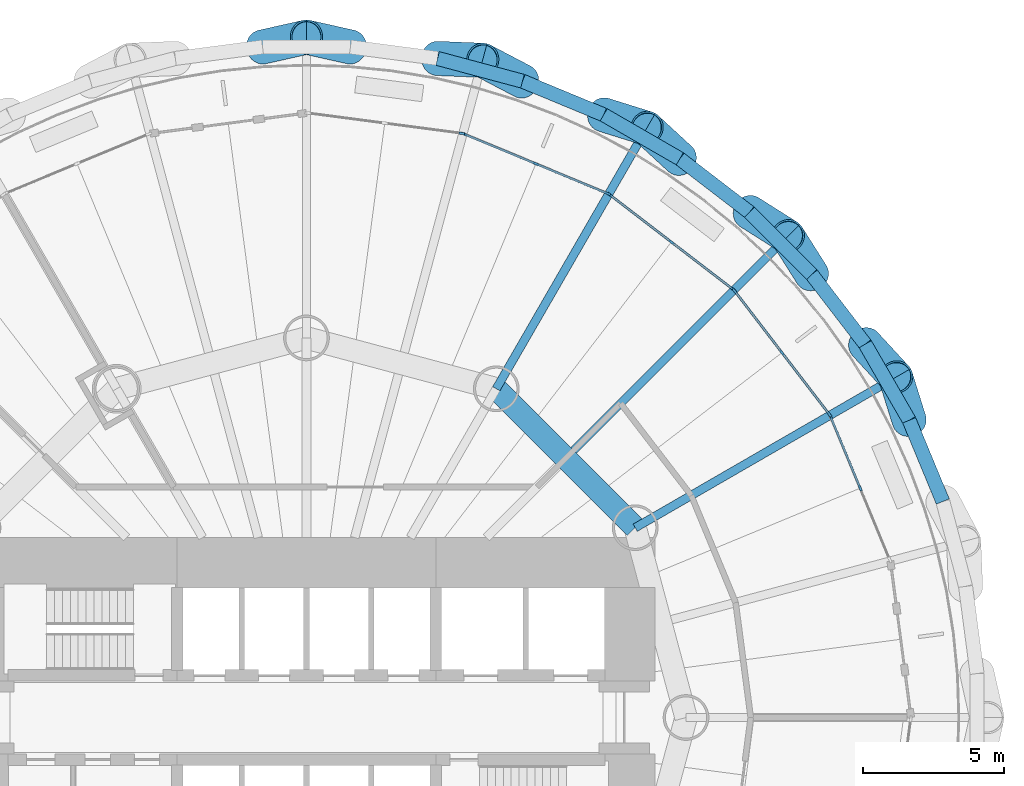
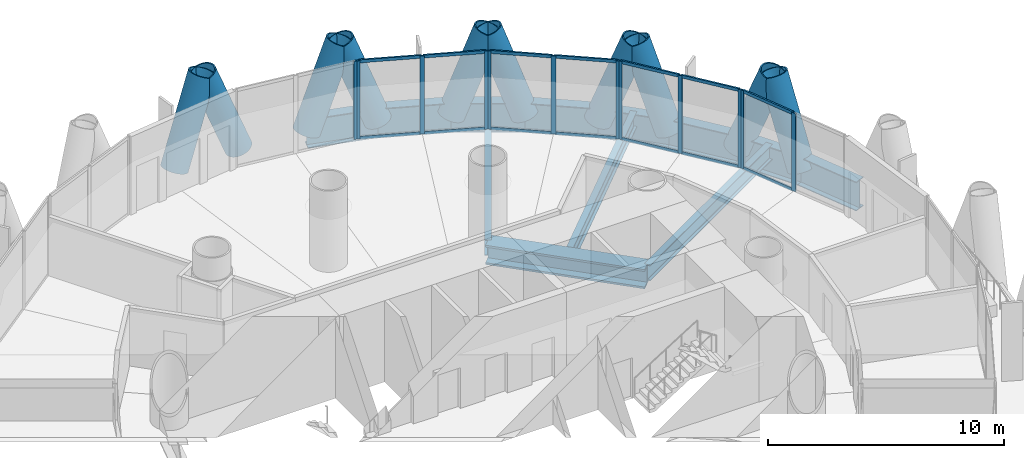
# One storey, part 7 of 16: 36 members, 12 beams, 5 elements without a shape of their own.
"""IFC4 building model written with IfcOpenShell, lengths in metres."""

from ifc_helpers import new_model, si_unit, direction, frame, origin, origin_2d, place, context, subcontext, project, spatial, rectangle, hollow_circle, i_section, extrude, material, material_profile, profile_set, type_object, element, aggregate, save


model = new_model("IFC4")

# Units and contexts
model_context = context("Model", 3, precision=1e-05, world=origin(), true_north=direction((0.0, 1.0)))
body_context = subcontext(model_context, "Body", "Model", "MODEL_VIEW")
ifc_project = project(units=[si_unit("LENGTHUNIT", "METRE"), si_unit("AREAUNIT", "SQUARE_METRE"), si_unit("VOLUMEUNIT", "CUBIC_METRE"), si_unit("PLANEANGLEUNIT", "RADIAN"), si_unit("MASSUNIT", "GRAM", prefix="KILO")], contexts=[model_context])

# Site, building, storey
site_placement = place(None, origin())
site = spatial("IfcSite", under=ifc_project, at=site_placement, CompositionType="ELEMENT")
building_placement = place(site_placement, origin())
building = spatial("IfcBuilding", under=site, at=building_placement, Name="Qaws Media Tower", CompositionType="ELEMENT")
storey_placement = place(building_placement, frame((0.0, 0.0, 38.60009765625)))
storey = spatial("IfcBuildingStorey", under=building, at=storey_placement, Name="L07", CompositionType="ELEMENT", Elevation=38.60009765625)

# Curtain wall, members
ifc_material_1 = material(Name="Aluminium and clear glass", Category="aluminium")
curtain_wall_type = type_object("IfcCurtainWallType", Name="Unitised curtain wall CW-A", PredefinedType="NOTDEFINED", material=ifc_material_1)
curtain_wall_1_placement = place(storey_placement, origin())
curtain_wall_1 = element("IfcCurtainWall", 1, at=curtain_wall_1_placement, inside=storey, type_object=curtain_wall_type, Name="CWA curtain wall L07-02", PredefinedType="NOTDEFINED")
ifc_material_2 = material(Name="Aluminium mullion", Category="aluminium")
ifc_material_profile_1 = material_profile(ifc_material_2, rectangle(XDim=0.080078125, YDim=0.199951171875, at=origin_2d()), Name="80x200")
ifc_profile_set_1 = profile_set([ifc_material_profile_1], Name="Aluminium mullion")
member_type_1 = type_object("IfcMemberType", Name="Curtain wall mullion 80x200", PredefinedType="MULLION", material=ifc_profile_set_1)
member_1_placement = place(storey_placement, frame((79.693359375, 58.1572265625, 0.0), z_axis=(0.0, 0.0, 1.0), x_axis=(-0.923879550051, -0.382683390022, 0.0)))
member_1 = element("IfcMember", 2, at=member_1_placement, type_object=member_type_1, Name="CWA mullion 2", PredefinedType="MULLION", context=body_context, shape_type="SweptSolid", body=[
    extrude(rectangle(XDim=0.080078125, YDim=0.199951171875, at=origin_2d()), origin(), (0.0, 0.0, 1.0), 4.039794921875),
])
member_2_placement = place(storey_placement, frame((78.634765625, 60.713134765625, 0.0), z_axis=(0.0, 0.0, 1.0), x_axis=(-0.923879550051, -0.382683390022, 0.0)))
member_2 = element("IfcMember", 3, at=member_2_placement, type_object=member_type_1, Name="CWA mullion 3", PredefinedType="MULLION", context=body_context, shape_type="SweptSolid", body=[
    extrude(rectangle(XDim=0.080078125, YDim=0.199951171875, at=origin_2d()), origin(), (0.0, 0.0, 1.0), 4.039794921875),
])

curtain_wall_2_placement = place(storey_placement, origin())
curtain_wall_2 = element("IfcCurtainWall", 4, at=curtain_wall_2_placement, inside=storey, type_object=curtain_wall_type, Name="CWA curtain wall L07-03", PredefinedType="NOTDEFINED")
member_3_placement = place(storey_placement, frame((78.59521484375, 60.78173828125, 0.0), z_axis=(0.0, 0.0, 1.0), x_axis=(-0.793353386998, -0.608761368139, 0.0)))
member_3 = element("IfcMember", 5, at=member_3_placement, type_object=member_type_1, Name="CWA mullion 1", PredefinedType="MULLION", context=body_context, shape_type="SweptSolid", body=[
    extrude(rectangle(XDim=0.080078125, YDim=0.199951171875, at=origin_2d()), origin(), (0.0, 0.0, 1.0), 4.039794921875),
])
member_4_placement = place(storey_placement, frame((76.9111328125, 62.976318359375, 0.0), z_axis=(0.0, 0.0, 1.0), x_axis=(-0.793353386998, -0.608761368139, 0.0)))
member_4 = element("IfcMember", 6, at=member_4_placement, type_object=member_type_1, Name="CWA mullion 2", PredefinedType="MULLION", context=body_context, shape_type="SweptSolid", body=[
    extrude(rectangle(XDim=0.080078125, YDim=0.199951171875, at=origin_2d()), origin(), (0.0, 0.0, 1.0), 4.039794921875),
])
member_5_placement = place(storey_placement, frame((75.22705078125, 65.171142578125, 0.0), z_axis=(0.0, 0.0, 1.0), x_axis=(-0.793353386998, -0.608761368139, 0.0)))
member_5 = element("IfcMember", 7, at=member_5_placement, type_object=member_type_1, Name="CWA mullion 3", PredefinedType="MULLION", context=body_context, shape_type="SweptSolid", body=[
    extrude(rectangle(XDim=0.080078125, YDim=0.199951171875, at=origin_2d()), origin(), (0.0, 0.0, 1.0), 4.039794921875),
])

curtain_wall_3_placement = place(storey_placement, origin())
curtain_wall_3 = element("IfcCurtainWall", 8, at=curtain_wall_3_placement, inside=storey, type_object=curtain_wall_type, Name="CWA curtain wall L07-04", PredefinedType="NOTDEFINED")
member_6_placement = place(storey_placement, frame((75.171142578125, 65.22705078125, 0.0), z_axis=(0.0, 0.0, 1.0), x_axis=(-0.608761368139, -0.793353386998, 0.0)))
member_6 = element("IfcMember", 9, at=member_6_placement, type_object=member_type_1, Name="CWA mullion 1", PredefinedType="MULLION", context=body_context, shape_type="SweptSolid", body=[
    extrude(rectangle(XDim=0.080078125, YDim=0.199951171875, at=origin_2d()), origin(), (0.0, 0.0, 1.0), 4.039794921875),
])
member_7_placement = place(storey_placement, frame((72.976318359375, 66.9111328125, 0.0), z_axis=(0.0, 0.0, 1.0), x_axis=(-0.608761368139, -0.793353386998, 0.0)))
member_7 = element("IfcMember", 10, at=member_7_placement, type_object=member_type_1, Name="CWA mullion 2", PredefinedType="MULLION", context=body_context, shape_type="SweptSolid", body=[
    extrude(rectangle(XDim=0.080078125, YDim=0.199951171875, at=origin_2d()), origin(), (0.0, 0.0, 1.0), 4.039794921875),
])
member_8_placement = place(storey_placement, frame((70.78173828125, 68.59521484375, 0.0), z_axis=(0.0, 0.0, 1.0), x_axis=(-0.608761368139, -0.793353386998, 0.0)))
member_8 = element("IfcMember", 11, at=member_8_placement, type_object=member_type_1, Name="CWA mullion 3", PredefinedType="MULLION", context=body_context, shape_type="SweptSolid", body=[
    extrude(rectangle(XDim=0.080078125, YDim=0.199951171875, at=origin_2d()), origin(), (0.0, 0.0, 1.0), 4.039794921875),
])

curtain_wall_4_placement = place(storey_placement, origin())
curtain_wall_4 = element("IfcCurtainWall", 12, at=curtain_wall_4_placement, inside=storey, type_object=curtain_wall_type, Name="CWA curtain wall L07-05", PredefinedType="NOTDEFINED")
member_9_placement = place(storey_placement, frame((70.713134765625, 68.634765625, 0.0), z_axis=(0.0, 0.0, 1.0), x_axis=(-0.382683390022, -0.923879550051, 0.0)))
member_9 = element("IfcMember", 13, at=member_9_placement, type_object=member_type_1, Name="CWA mullion 1", PredefinedType="MULLION", context=body_context, shape_type="SweptSolid", body=[
    extrude(rectangle(XDim=0.080078125, YDim=0.199951171875, at=origin_2d()), origin(), (0.0, 0.0, 1.0), 4.039794921875),
])
member_10_placement = place(storey_placement, frame((68.1572265625, 69.693359375, 0.0), z_axis=(0.0, 0.0, 1.0), x_axis=(-0.382683390022, -0.923879550051, 0.0)))
member_10 = element("IfcMember", 14, at=member_10_placement, type_object=member_type_1, Name="CWA mullion 2", PredefinedType="MULLION", context=body_context, shape_type="SweptSolid", body=[
    extrude(rectangle(XDim=0.080078125, YDim=0.199951171875, at=origin_2d()), origin(), (0.0, 0.0, 1.0), 4.039794921875),
])
member_11_placement = place(storey_placement, frame((65.6015625, 70.752197265625, 0.0), z_axis=(0.0, 0.0, 1.0), x_axis=(-0.382683390022, -0.923879550051, 0.0)))
member_11 = element("IfcMember", 15, at=member_11_placement, type_object=member_type_1, Name="CWA mullion 3", PredefinedType="MULLION", context=body_context, shape_type="SweptSolid", body=[
    extrude(rectangle(XDim=0.080078125, YDim=0.199951171875, at=origin_2d()), origin(), (0.0, 0.0, 1.0), 4.039794921875),
])

# Curtain wall, member
curtain_wall_5_placement = place(storey_placement, origin())
curtain_wall_5 = element("IfcCurtainWall", 16, at=curtain_wall_5_placement, inside=storey, type_object=curtain_wall_type, Name="CWA curtain wall L07-06", PredefinedType="NOTDEFINED")
member_12_placement = place(storey_placement, frame((65.52490234375, 70.772705078125, 0.0), z_axis=(0.0, 0.0, 1.0), x_axis=(-0.130526249496, -0.991444853833, 0.0)))
member_12 = element("IfcMember", 17, at=member_12_placement, type_object=member_type_1, Name="CWA mullion 1", PredefinedType="MULLION", context=body_context, shape_type="SweptSolid", body=[
    extrude(rectangle(XDim=0.080078125, YDim=0.199951171875, at=origin_2d()), origin(), (0.0, 0.0, 1.0), 4.039794921875),
])
aggregate(curtain_wall_5, [member_12])

# Member
ifc_material_3 = material(Name="Aluminium transom", Category="aluminium")
ifc_material_profile_2 = material_profile(ifc_material_3, rectangle(XDim=0.080078125, YDim=0.159912109375, at=origin_2d()), Name="80x160")
ifc_profile_set_2 = profile_set([ifc_material_profile_2], Name="Aluminium transom")
member_type_2 = type_object("IfcMemberType", Name="Curtain wall transom 80x160", PredefinedType="USERDEFINED", material=ifc_profile_set_2)
member_13_placement = place(storey_placement, frame((79.67822265625, 58.1943359375, 0.039794921875), z_axis=(-0.382723705006, 0.923862850009, 0.0), x_axis=(-0.923862850009, -0.382723705006, 0.0)))
member_13 = element("IfcMember", 18, at=member_13_placement, type_object=member_type_2, Name="CWA transom 2.1", ObjectType="TRANSOM", PredefinedType="USERDEFINED", context=body_context, shape_type="SweptSolid", body=[
    extrude(rectangle(XDim=0.080078125, YDim=0.159912109375, at=origin_2d()), origin(), (0.0, 0.0, 1.0), 2.686279296875),
])

member_14_placement = place(storey_placement, frame((79.67822265625, 58.1943359375, 4.0), z_axis=(-0.382723705006, 0.923862850009, 0.0), x_axis=(-0.923862850009, -0.382723705006, 0.0)))
member_14 = element("IfcMember", 19, at=member_14_placement, type_object=member_type_2, Name="CWA transom 2.2", ObjectType="TRANSOM", PredefinedType="USERDEFINED", context=body_context, shape_type="SweptSolid", body=[
    extrude(rectangle(XDim=0.080078125, YDim=0.159912109375, at=origin_2d()), origin(), (0.0, 0.0, 1.0), 2.686279296875),
])

aggregate(curtain_wall_1, [member_1, member_2, member_13, member_14])

member_15_placement = place(storey_placement, frame((78.57080078125, 60.8134765625, 0.039794921875), z_axis=(-0.608761584717, 0.793353220812, 0.0), x_axis=(-0.793353220812, -0.608761584717, 0.0)))
member_15 = element("IfcMember", 20, at=member_15_placement, type_object=member_type_2, Name="CWA transom 1.1", ObjectType="TRANSOM", PredefinedType="USERDEFINED", context=body_context, shape_type="SweptSolid", body=[
    extrude(rectangle(XDim=0.080078125, YDim=0.159912109375, at=origin_2d()), origin(), (0.0, 0.0, 1.0), 2.686279296875),
])

member_16_placement = place(storey_placement, frame((78.57080078125, 60.8134765625, 4.0), z_axis=(-0.608761584717, 0.793353220812, 0.0), x_axis=(-0.793353220812, -0.608761584717, 0.0)))
member_16 = element("IfcMember", 21, at=member_16_placement, type_object=member_type_2, Name="CWA transom 1.2", ObjectType="TRANSOM", PredefinedType="USERDEFINED", context=body_context, shape_type="SweptSolid", body=[
    extrude(rectangle(XDim=0.080078125, YDim=0.159912109375, at=origin_2d()), origin(), (0.0, 0.0, 1.0), 2.686279296875),
])

member_17_placement = place(storey_placement, frame((76.88671875, 63.008056640625, 0.039794921875), z_axis=(-0.608717691863, 0.793386899068, 0.0), x_axis=(-0.793386899068, -0.608717691863, 0.0)))
member_17 = element("IfcMember", 22, at=member_17_placement, type_object=member_type_2, Name="CWA transom 2.1", ObjectType="TRANSOM", PredefinedType="USERDEFINED", context=body_context, shape_type="SweptSolid", body=[
    extrude(rectangle(XDim=0.080078125, YDim=0.159912109375, at=origin_2d()), origin(), (0.0, 0.0, 1.0), 2.686279296875),
])

member_18_placement = place(storey_placement, frame((76.88671875, 63.008056640625, 4.0), z_axis=(-0.608717691863, 0.793386899068, 0.0), x_axis=(-0.793386899068, -0.608717691863, 0.0)))
member_18 = element("IfcMember", 23, at=member_18_placement, type_object=member_type_2, Name="CWA transom 2.2", ObjectType="TRANSOM", PredefinedType="USERDEFINED", context=body_context, shape_type="SweptSolid", body=[
    extrude(rectangle(XDim=0.080078125, YDim=0.159912109375, at=origin_2d()), origin(), (0.0, 0.0, 1.0), 2.686279296875),
])

aggregate(curtain_wall_2, [member_3, member_4, member_5, member_15, member_16, member_17, member_18])

member_19_placement = place(storey_placement, frame((75.139404296875, 65.25146484375, 0.039794921875), z_axis=(-0.793386899068, 0.608717691863, 0.0), x_axis=(-0.608717691863, -0.793386899068, 0.0)))
member_19 = element("IfcMember", 24, at=member_19_placement, type_object=member_type_2, Name="CWA transom 1.1", ObjectType="TRANSOM", PredefinedType="USERDEFINED", context=body_context, shape_type="SweptSolid", body=[
    extrude(rectangle(XDim=0.080078125, YDim=0.159912109375, at=origin_2d()), origin(), (0.0, 0.0, 1.0), 2.686279296875),
])

member_20_placement = place(storey_placement, frame((75.139404296875, 65.25146484375, 4.0), z_axis=(-0.793386899068, 0.608717691863, 0.0), x_axis=(-0.608717691863, -0.793386899068, 0.0)))
member_20 = element("IfcMember", 25, at=member_20_placement, type_object=member_type_2, Name="CWA transom 1.2", ObjectType="TRANSOM", PredefinedType="USERDEFINED", context=body_context, shape_type="SweptSolid", body=[
    extrude(rectangle(XDim=0.080078125, YDim=0.159912109375, at=origin_2d()), origin(), (0.0, 0.0, 1.0), 2.686279296875),
])

member_21_placement = place(storey_placement, frame((72.944580078125, 66.935546875, 0.039794921875), z_axis=(-0.793353220812, 0.608761584717, 0.0), x_axis=(-0.608761584717, -0.793353220812, 0.0)))
member_21 = element("IfcMember", 26, at=member_21_placement, type_object=member_type_2, Name="CWA transom 2.1", ObjectType="TRANSOM", PredefinedType="USERDEFINED", context=body_context, shape_type="SweptSolid", body=[
    extrude(rectangle(XDim=0.080078125, YDim=0.159912109375, at=origin_2d()), origin(), (0.0, 0.0, 1.0), 2.686279296875),
])

member_22_placement = place(storey_placement, frame((72.944580078125, 66.935546875, 4.0), z_axis=(-0.793353220812, 0.608761584717, 0.0), x_axis=(-0.608761584717, -0.793353220812, 0.0)))
member_22 = element("IfcMember", 27, at=member_22_placement, type_object=member_type_2, Name="CWA transom 2.2", ObjectType="TRANSOM", PredefinedType="USERDEFINED", context=body_context, shape_type="SweptSolid", body=[
    extrude(rectangle(XDim=0.080078125, YDim=0.159912109375, at=origin_2d()), origin(), (0.0, 0.0, 1.0), 2.686279296875),
])

aggregate(curtain_wall_3, [member_6, member_7, member_8, member_19, member_20, member_21, member_22])

member_23_placement = place(storey_placement, frame((70.676025390625, 68.650146484375, 0.039794921875), z_axis=(-0.923862850009, 0.382723705006, 0.0), x_axis=(-0.382723705006, -0.923862850009, 0.0)))
member_23 = element("IfcMember", 28, at=member_23_placement, type_object=member_type_2, Name="CWA transom 1.1", ObjectType="TRANSOM", PredefinedType="USERDEFINED", context=body_context, shape_type="SweptSolid", body=[
    extrude(rectangle(XDim=0.080078125, YDim=0.159912109375, at=origin_2d()), origin(), (0.0, 0.0, 1.0), 2.686279296875),
])

member_24_placement = place(storey_placement, frame((70.676025390625, 68.650146484375, 4.0), z_axis=(-0.923862850009, 0.382723705006, 0.0), x_axis=(-0.382723705006, -0.923862850009, 0.0)))
member_24 = element("IfcMember", 29, at=member_24_placement, type_object=member_type_2, Name="CWA transom 1.2", ObjectType="TRANSOM", PredefinedType="USERDEFINED", context=body_context, shape_type="SweptSolid", body=[
    extrude(rectangle(XDim=0.080078125, YDim=0.159912109375, at=origin_2d()), origin(), (0.0, 0.0, 1.0), 2.686279296875),
])

member_25_placement = place(storey_placement, frame((68.120361328125, 69.708740234375, 0.039794921875), z_axis=(-0.923876161176, 0.382691571386, 0.0), x_axis=(-0.382691571386, -0.923876161176, 0.0)))
member_25 = element("IfcMember", 30, at=member_25_placement, type_object=member_type_2, Name="CWA transom 2.1", ObjectType="TRANSOM", PredefinedType="USERDEFINED", context=body_context, shape_type="SweptSolid", body=[
    extrude(rectangle(XDim=0.080078125, YDim=0.159912109375, at=origin_2d()), origin(), (0.0, 0.0, 1.0), 2.6865234375),
])

member_26_placement = place(storey_placement, frame((68.120361328125, 69.708740234375, 4.0), z_axis=(-0.923876161176, 0.382691571386, 0.0), x_axis=(-0.382691571386, -0.923876161176, 0.0)))
member_26 = element("IfcMember", 31, at=member_26_placement, type_object=member_type_2, Name="CWA transom 2.2", ObjectType="TRANSOM", PredefinedType="USERDEFINED", context=body_context, shape_type="SweptSolid", body=[
    extrude(rectangle(XDim=0.080078125, YDim=0.159912109375, at=origin_2d()), origin(), (0.0, 0.0, 1.0), 2.6865234375),
])

aggregate(curtain_wall_4, [member_9, member_10, member_11, member_23, member_24, member_25, member_26])

# Members
ifc_material_4 = material(Name="Steel S460", Category="steel")
ifc_material_profile_3 = material_profile(ifc_material_4, hollow_circle(Radius=0.609619140625, WallThickness=0.06005859375, at=origin_2d()), Name="CHS 1219x60")
ifc_profile_set_3 = profile_set([ifc_material_profile_3], Name="Steel S460")
member_type_3 = type_object("IfcMemberType", Name="Diagrid member CHS 1219x60", PredefinedType="USERDEFINED", material=ifc_profile_set_3)
for number, where, z_axis, x_axis, name in (
    (32, (81.435302734375, 60.57080078125, -0.91015625), (-0.106234265459, 0.340210347051, 0.934329278468), (-0.954545031131, -0.298066743437, 0.0), "DG1 diagrid L07 A02"),
    (33, (77.968994140625, 65.75830078125, -0.91015625), (-0.190634126153, 0.301158469947, 0.934324465015), (-0.844945330191, -0.534852679706, 0.0), "DG1 diagrid L07 A03"),
    (34, (79.8720703125, 63.278076171875, -0.91015625), (0.241528013276, -0.262058165968, 0.93433919775), (0.735323234124, 0.677716564176, 0.0), "DG1 diagrid L07 B03"),
    (35, (73.278076171875, 69.8720703125, -0.91015625), (-0.262058165968, 0.241528013276, 0.93433919775), (-0.677716564176, -0.735323234124, 0.0), "DG1 diagrid L07 A04"),
    (36, (75.75830078125, 67.968994140625, -0.91015625), (0.301158469947, -0.190634126153, 0.934324465015), (0.534852679706, 0.844945330191, 0.0), "DG1 diagrid L07 B04"),
    (37, (67.682373046875, 72.631591796875, -0.91015625), (-0.315661361343, 0.165488673092, 0.934329387333), (-0.464320143307, -0.885667434492, 0.0), "DG1 diagrid L07 A05"),
    (38, (70.57080078125, 71.435302734375, -0.91015625), (0.340210347051, -0.106234265459, 0.934329278468), (0.298066743437, 0.954545031131, 0.0), "DG1 diagrid L07 B05"),
    (39, (61.563232421875, 73.848876953125, -0.91015625), (-0.347758370258, 0.078100349279, 0.934325666648), (-0.219124199396, -0.975696974085, 0.0), "DG1 diagrid L07 A06"),
    (40, (64.66259765625, 73.440673828125, -0.91015625), (0.356122760957, -0.014501262342, 0.934326651936), (0.040686124419, 0.999171976829, 0.0), "DG1 diagrid L07 B06"),
    (41, (58.436767578125, 73.848876953125, -0.91015625), (0.347758370258, 0.078100349279, 0.934325666648), (-0.219124199396, 0.975696974085, 0.0), "DG1 diagrid L07 B07"),
):
    element("IfcMember", number, at=place(storey_placement, frame(where, z_axis=z_axis, x_axis=x_axis)), inside=storey, type_object=member_type_3, Name=name, ObjectType="DIAGRID", PredefinedType="USERDEFINED", context=body_context, shape_type="SweptSolid", body=[
        extrude(hollow_circle(Radius=0.609619140625, WallThickness=0.06005859375, at=origin_2d()), origin(), (0.0, 0.0, 1.0), 4.4951171875),
    ])

# Beams
ifc_material_5 = material(Name="Steel S460", Category="steel")
ifc_material_profile_4 = material_profile(ifc_material_5, i_section(OverallWidth=0.5, OverallDepth=1.5, WebThickness=0.02001953125, FlangeThickness=0.0400390625, at=origin_2d()), Name="PG 1500x500")
ifc_profile_set_4 = profile_set([ifc_material_profile_4], Name="Steel S460")
beam_type_1 = type_object("IfcBeamType", Name="Edge ring beam PG 1500x500", PredefinedType="BEAM", material=ifc_profile_set_4)
beam_1_placement = place(storey_placement, frame((82.631591796875, 57.682373046875, -0.91015625), z_axis=(-0.382646061572, 0.923895011115, 0.0), x_axis=(-0.923895011115, -0.382646061572, 0.0)))
element("IfcBeam", 42, at=beam_1_placement, inside=storey, type_object=beam_type_1, Name="RB4 edge ring beam L07-03", PredefinedType="BEAM", context=body_context, shape_type="SweptSolid", body=[
    extrude(i_section(OverallWidth=0.5, OverallDepth=1.5, WebThickness=0.02001953125, FlangeThickness=0.0400390625, at=origin_2d()), origin(), (0.0, 0.0, 1.0), 3.12646484375),
])
for number, where, z_axis, x_axis, name in (
    (43, (81.435302734375, 60.57080078125, -0.91015625), (-0.500044681503, 0.86599960537, 0.0), (-0.86599960537, -0.500044681503, 0.0), "RB4 edge ring beam L07-04"),
    (44, (79.8720703125, 63.278076171875, -0.91015625), (-0.608747918048, 0.793363707434, 0.0), (-0.793363707434, -0.608747918048, 0.0), "RB4 edge ring beam L07-05"),
):
    element("IfcBeam", number, at=place(storey_placement, frame(where, z_axis=z_axis, x_axis=x_axis)), inside=storey, type_object=beam_type_1, Name=name, PredefinedType="BEAM", context=body_context, shape_type="SweptSolid", body=[
        extrude(i_section(OverallWidth=0.5, OverallDepth=1.5, WebThickness=0.02001953125, FlangeThickness=0.0400390625, at=origin_2d()), origin(), (0.0, 0.0, 1.0), 3.126220703125),
    ])
beam_2_placement = place(storey_placement, frame((77.968994140625, 65.75830078125, -0.91015625), z_axis=(-0.707106781187, 0.707106781187, 0.0), x_axis=(-0.707106781187, -0.707106781187, 0.0)))
element("IfcBeam", 45, at=beam_2_placement, inside=storey, type_object=beam_type_1, Name="RB4 edge ring beam L07-06", PredefinedType="BEAM", context=body_context, shape_type="SweptSolid", body=[
    extrude(i_section(OverallWidth=0.5, OverallDepth=1.5, WebThickness=0.02001953125, FlangeThickness=0.0400390625, at=origin_2d()), origin(), (0.0, 0.0, 1.0), 3.12646484375),
])
for number, where, z_axis, x_axis, name in (
    (46, (75.75830078125, 67.968994140625, -0.91015625), (-0.793363707434, 0.608747918048, 0.0), (-0.608747918048, -0.793363707434, 0.0), "RB4 edge ring beam L07-07"),
    (47, (73.278076171875, 69.8720703125, -0.91015625), (-0.86599960537, 0.500044681503, 0.0), (-0.500044681503, -0.86599960537, 0.0), "RB4 edge ring beam L07-08"),
):
    element("IfcBeam", number, at=place(storey_placement, frame(where, z_axis=z_axis, x_axis=x_axis)), inside=storey, type_object=beam_type_1, Name=name, PredefinedType="BEAM", context=body_context, shape_type="SweptSolid", body=[
        extrude(i_section(OverallWidth=0.5, OverallDepth=1.5, WebThickness=0.02001953125, FlangeThickness=0.0400390625, at=origin_2d()), origin(), (0.0, 0.0, 1.0), 3.126220703125),
    ])
beam_3_placement = place(storey_placement, frame((70.57080078125, 71.435302734375, -0.91015625), z_axis=(-0.923895011115, 0.382646061572, 0.0), x_axis=(-0.382646061572, -0.923895011115, 0.0)))
element("IfcBeam", 48, at=beam_3_placement, inside=storey, type_object=beam_type_1, Name="RB4 edge ring beam L07-09", PredefinedType="BEAM", context=body_context, shape_type="SweptSolid", body=[
    extrude(i_section(OverallWidth=0.5, OverallDepth=1.5, WebThickness=0.02001953125, FlangeThickness=0.0400390625, at=origin_2d()), origin(), (0.0, 0.0, 1.0), 3.12646484375),
])
beam_4_placement = place(storey_placement, frame((67.682373046875, 72.631591796875, -0.91015625), z_axis=(-0.965930971662, 0.258799841546, 0.0), x_axis=(-0.258799841546, -0.965930971662, 0.0)))
element("IfcBeam", 49, at=beam_4_placement, inside=storey, type_object=beam_type_1, Name="RB4 edge ring beam L07-10", PredefinedType="BEAM", context=body_context, shape_type="SweptSolid", body=[
    extrude(i_section(OverallWidth=0.5, OverallDepth=1.5, WebThickness=0.02001953125, FlangeThickness=0.0400390625, at=origin_2d()), origin(), (0.0, 0.0, 1.0), 3.126220703125),
])
ifc_material_6 = material(Name="Steel S460", Category="steel")
ifc_material_profile_5 = material_profile(ifc_material_6, i_section(OverallWidth=0.800048828125, OverallDepth=1.0, WebThickness=0.0400390625, FlangeThickness=0.10009765625, at=origin_2d()), Name="PG 1000x800")
ifc_profile_set_5 = profile_set([ifc_material_profile_5], Name="Steel S460")
beam_type_2 = type_object("IfcBeamType", Name="Inner ring girder PG 1000x800", PredefinedType="BEAM", material=ifc_profile_set_5)
beam_5_placement = place(storey_placement, frame((71.69140625, 56.75, -0.66015625), z_axis=(-0.707106781187, 0.707106781187, 0.0), x_axis=(-0.707106781187, -0.707106781187, 0.0)))
element("IfcBeam", 50, at=beam_5_placement, inside=storey, type_object=beam_type_2, Name="B3 inner ring beam L07 I02-I03", PredefinedType="BEAM", context=body_context, shape_type="SweptSolid", body=[
    extrude(i_section(OverallWidth=0.800048828125, OverallDepth=1.0, WebThickness=0.0400390625, FlangeThickness=0.10009765625, at=origin_2d()), origin(), (0.0, 0.0, 1.0), 6.98828125),
])
ifc_material_7 = material(Name="Steel S355", Category="steel")
ifc_material_profile_6 = material_profile(ifc_material_7, i_section(OverallWidth=0.300048828125, OverallDepth=0.800048828125, WebThickness=0.017578125, FlangeThickness=0.032958984375, FilletRadius=0.030029296875, at=origin_2d()), Name="HE 800 B")
ifc_profile_set_6 = profile_set([ifc_material_profile_6], Name="Steel S355")
beam_type_3 = type_object("IfcBeamType", Name="Radial beam HE 800 B", PredefinedType="BEAM", material=ifc_profile_set_6)
beam_6_placement = place(storey_placement, frame((71.69140625, 56.75, -0.56005859375), z_axis=(0.866030801295, 0.499990651121, 0.0), x_axis=(-0.499990651121, 0.866030801295, 0.0)))
element("IfcBeam", 51, at=beam_6_placement, inside=storey, type_object=beam_type_3, Name="B1 radial beam L07 03", PredefinedType="BEAM", context=body_context, shape_type="SweptSolid", body=[
    extrude(i_section(OverallWidth=0.300048828125, OverallDepth=0.800048828125, WebThickness=0.017578125, FlangeThickness=0.032958984375, FilletRadius=0.030029296875, at=origin_2d()), origin(), (0.0, 0.0, 1.0), 10.348876953125),
])
beam_7_placement = place(storey_placement, frame((69.50341796875, 59.50341796875, -0.56005859375), z_axis=(0.707106781187, 0.707106781187, 0.0), x_axis=(-0.707106781187, 0.707106781187, 0.0)))
element("IfcBeam", 52, at=beam_7_placement, inside=storey, type_object=beam_type_3, Name="B1 radial beam L07 04", PredefinedType="BEAM", context=body_context, shape_type="SweptSolid", body=[
    extrude(i_section(OverallWidth=0.300048828125, OverallDepth=0.800048828125, WebThickness=0.017578125, FlangeThickness=0.032958984375, FilletRadius=0.030029296875, at=origin_2d()), origin(), (0.0, 0.0, 1.0), 10.4091796875),
])
beam_8_placement = place(storey_placement, frame((66.75, 61.69140625, -0.56005859375), z_axis=(0.499990651121, 0.866030801295, 0.0), x_axis=(-0.866030801295, 0.499990651121, 0.0)))
element("IfcBeam", 53, at=beam_8_placement, inside=storey, type_object=beam_type_3, Name="B1 radial beam L07 05", PredefinedType="BEAM", context=body_context, shape_type="SweptSolid", body=[
    extrude(i_section(OverallWidth=0.300048828125, OverallDepth=0.800048828125, WebThickness=0.017578125, FlangeThickness=0.032958984375, FilletRadius=0.030029296875, at=origin_2d()), origin(), (0.0, 0.0, 1.0), 10.348876953125),
])

save(model, "model.ifc")
